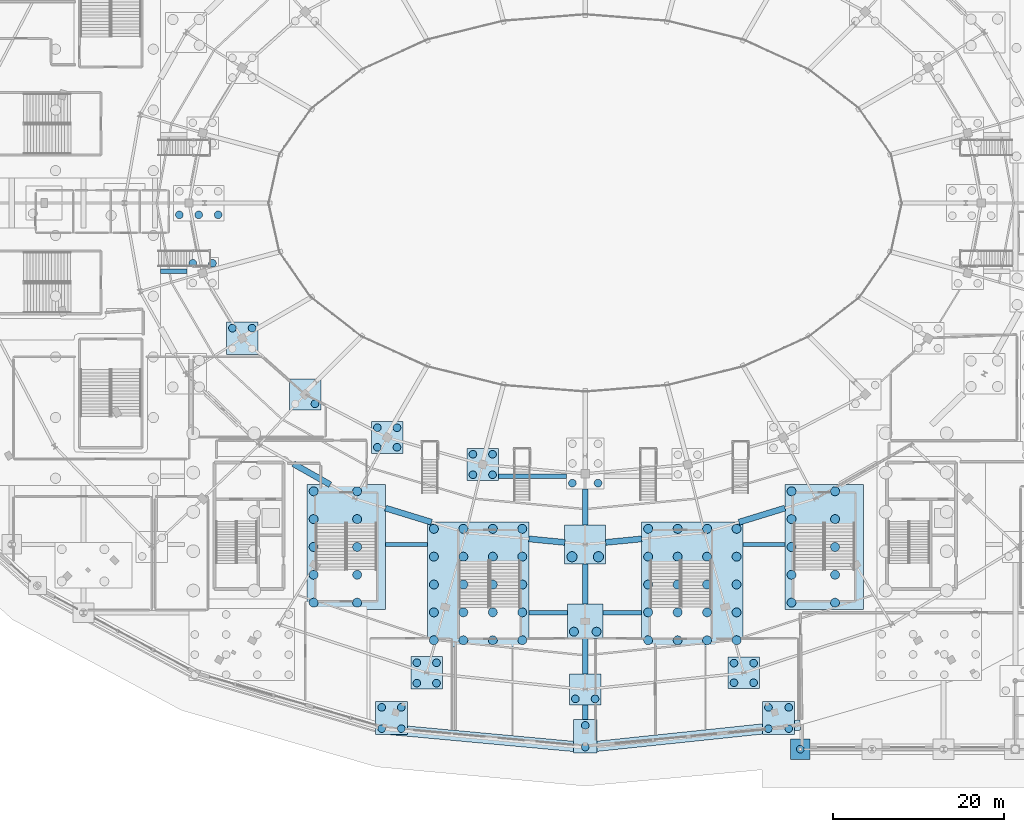
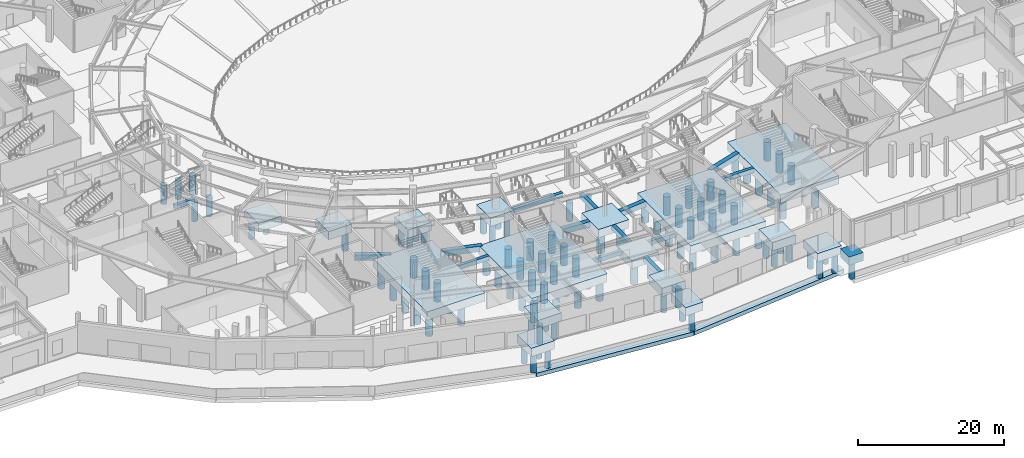
# One storey, part 2 of 93: 103 piles, 34 footings.
"""IFC4 building model written with IfcOpenShell, lengths in metres."""

from ifc_helpers import new_model, si_unit, direction, frame, origin, origin_2d, place, context, subcontext, project, spatial, polyline, rectangle, circle, outline, extrude, material, material_profile, profile_set, type_object, element, save


model = new_model("IFC4")

# Units and contexts
model_context = context("Model", 3, precision=1e-05, world=origin(), true_north=direction((0.0, 1.0)))
body_context = subcontext(model_context, "Body", "Model", "MODEL_VIEW")
ifc_project = project(units=[si_unit("LENGTHUNIT", "METRE"), si_unit("AREAUNIT", "SQUARE_METRE"), si_unit("VOLUMEUNIT", "CUBIC_METRE"), si_unit("PLANEANGLEUNIT", "RADIAN"), si_unit("MASSUNIT", "GRAM", prefix="KILO")], contexts=[model_context])

# Site, building, storey
site_placement = place(None, origin())
site = spatial("IfcSite", under=ifc_project, at=site_placement, CompositionType="ELEMENT")
building_placement = place(site_placement, origin())
building = spatial("IfcBuilding", under=site, at=building_placement, Name="Kalgoora Escarpment Arena", CompositionType="ELEMENT")
storey_placement = place(building_placement, origin())
storey = spatial("IfcBuildingStorey", under=building, at=storey_placement, Name="L00", CompositionType="ELEMENT", Elevation=0.0)

# Footings
ifc_material_1 = material(Name="Concrete N40 (fc' 40 MPa)", Category="concrete")
ifc_material_profile_1 = material_profile(ifc_material_1, rectangle(XDim=0.5, YDim=0.699951171875, at=origin_2d()))
ifc_profile_set_1 = profile_set([ifc_material_profile_1], Name="Concrete N40 (fc' 40 MPa)")
footing_type_1 = type_object("IfcFootingType", Name="FTG-GB700x500", PredefinedType="FOOTING_BEAM", material=ifc_profile_set_1)
for number, where, z_axis, x_axis, name in (
    (1, (85.800048828125, 16.0, -0.35009765625), (1.0, 0.0, 0.0), (0.0, 1.0, 0.0), "Ground tie beam GB-073"),
    (2, (94.5, 16.0, -0.35009765625), (1.0, 0.0, 0.0), (0.0, 1.0, 0.0), "Ground tie beam GB-074"),
):
    element("IfcFooting", number, at=place(storey_placement, frame(where, z_axis=z_axis, x_axis=x_axis)), inside=storey, type_object=footing_type_1, Name=name, PredefinedType="FOOTING_BEAM", context=body_context, shape_type="SweptSolid", body=[
        extrude(rectangle(XDim=0.5, YDim=0.699951171875, at=origin_2d()), origin(), (0.0, 0.0, 1.0), 4.5),
    ])
footing_1_placement = place(storey_placement, frame((69.0, 24.0, -0.35009765625), z_axis=(1.0, 0.0, 0.0), x_axis=(0.0, 1.0, 0.0)))
element("IfcFooting", 3, at=footing_1_placement, inside=storey, type_object=footing_type_1, Name="Ground tie beam GB-080", PredefinedType="FOOTING_BEAM", context=body_context, shape_type="SweptSolid", body=[
    extrude(rectangle(XDim=0.5, YDim=0.699951171875, at=origin_2d()), origin(), (0.0, 0.0, 1.0), 4.889892578125),
])
footing_2_placement = place(storey_placement, frame((110.909912109375, 24.0, -0.35009765625), z_axis=(1.0, 0.0, 0.0), x_axis=(0.0, 1.0, 0.0)))
element("IfcFooting", 4, at=footing_2_placement, inside=storey, type_object=footing_type_1, Name="Ground tie beam GB-081", PredefinedType="FOOTING_BEAM", context=body_context, shape_type="SweptSolid", body=[
    extrude(rectangle(XDim=0.5, YDim=0.699951171875, at=origin_2d()), origin(), (0.0, 0.0, 1.0), 4.89013671875),
])
footing_3_placement = place(storey_placement, frame((82.239990234375, 32.0, -0.35009765625), z_axis=(1.0, 0.0, 0.0), x_axis=(0.0, 1.0, 0.0)))
element("IfcFooting", 5, at=footing_3_placement, inside=storey, type_object=footing_type_1, Name="Ground tie beam GB-086", PredefinedType="FOOTING_BEAM", context=body_context, shape_type="SweptSolid", body=[
    extrude(rectangle(XDim=0.5, YDim=0.699951171875, at=origin_2d()), origin(), (0.0, 0.0, 1.0), 7.9599609375),
])
footing_4_placement = place(storey_placement, frame((42.639892578125, 56.0, -0.35009765625), z_axis=(1.0, 0.0, 0.0), x_axis=(0.0, 1.0, 0.0)))
element("IfcFooting", 6, at=footing_4_placement, inside=storey, type_object=footing_type_1, Name="Ground tie beam GB-100", PredefinedType="FOOTING_BEAM", context=body_context, shape_type="SweptSolid", body=[
    extrude(rectangle(XDim=0.5, YDim=0.699951171875, at=origin_2d()), origin(), (0.0, 0.0, 1.0), 3.080078125),
])
ifc_material_2 = material(Name="Concrete N40 (fc' 40 MPa)", Category="concrete")
ifc_material_profile_2 = material_profile(ifc_material_2, rectangle(XDim=0.60009765625, YDim=0.800048828125, at=origin_2d()))
ifc_profile_set_2 = profile_set([ifc_material_profile_2], Name="Concrete N40 (fc' 40 MPa)")
footing_type_2 = type_object("IfcFootingType", Name="FTG-GB800x600", PredefinedType="FOOTING_BEAM", material=ifc_profile_set_2)
footing_5_placement = place(storey_placement, frame((92.39990234375, 3.489990234375, -0.39990234375), z_axis=(0.0, 1.0, 0.0), x_axis=(-1.0, 0.0, 0.0)))
element("IfcFooting", 7, at=footing_5_placement, inside=storey, type_object=footing_type_2, Name="Ground tie beam GB-036", PredefinedType="FOOTING_BEAM", context=body_context, shape_type="SweptSolid", body=[
    extrude(rectangle(XDim=0.60009765625, YDim=0.800048828125, at=origin_2d()), origin(), (0.0, 0.0, 1.0), 1.7099609375),
])
footing_6_placement = place(storey_placement, frame((92.39990234375, 8.800048828125, -0.39990234375), z_axis=(0.0, 1.0, 0.0), x_axis=(-1.0, 0.0, 0.0)))
element("IfcFooting", 8, at=footing_6_placement, inside=storey, type_object=footing_type_2, Name="Ground tie beam GB-037", PredefinedType="FOOTING_BEAM", context=body_context, shape_type="SweptSolid", body=[
    extrude(rectangle(XDim=0.60009765625, YDim=0.800048828125, at=origin_2d()), origin(), (0.0, 0.0, 1.0), 4.199951171875),
])
footing_7_placement = place(storey_placement, frame((92.39990234375, 17.0, -0.39990234375), z_axis=(0.0, 1.0, 0.0), x_axis=(-1.0, 0.0, 0.0)))
element("IfcFooting", 9, at=footing_7_placement, inside=storey, type_object=footing_type_2, Name="Ground tie beam GB-038", PredefinedType="FOOTING_BEAM", context=body_context, shape_type="SweptSolid", body=[
    extrude(rectangle(XDim=0.60009765625, YDim=0.800048828125, at=origin_2d()), origin(), (0.0, 0.0, 1.0), 4.699951171875),
])
footing_8_placement = place(storey_placement, frame((92.39990234375, 26.300048828125, -0.39990234375), z_axis=(0.0, 1.0, 0.0), x_axis=(-1.0, 0.0, 0.0)))
element("IfcFooting", 10, at=footing_8_placement, inside=storey, type_object=footing_type_2, Name="Ground tie beam GB-039", PredefinedType="FOOTING_BEAM", context=body_context, shape_type="SweptSolid", body=[
    extrude(rectangle(XDim=0.60009765625, YDim=0.800048828125, at=origin_2d()), origin(), (0.0, 0.0, 1.0), 4.179931640625),
])
ifc_material_3 = material(Name="Concrete N40 (fc' 40 MPa)", Category="concrete")
ifc_material_profile_3 = material_profile(ifc_material_3, rectangle(XDim=0.699951171875, YDim=0.89990234375, at=origin_2d()))
ifc_profile_set_3 = profile_set([ifc_material_profile_3], Name="Concrete N40 (fc' 40 MPa)")
footing_type_3 = type_object("IfcFootingType", Name="FTG-GB900x700", PredefinedType="FOOTING_BEAM", material=ifc_profile_set_3)
footing_9_placement = place(storey_placement, frame((58.199951171875, 33.451416015625, -0.449951171875), z_axis=(0.86938256602, -0.494139609726, 0.0), x_axis=(0.494139609726, 0.86938256602, 0.0)))
element("IfcFooting", 11, at=footing_9_placement, inside=storey, type_object=footing_type_3, Name="Ground tie beam GB-014", PredefinedType="FOOTING_BEAM", context=body_context, shape_type="SweptSolid", body=[
    extrude(rectangle(XDim=0.699951171875, YDim=0.89990234375, at=origin_2d()), origin(), (0.0, 0.0, 1.0), 4.9609375),
])
footing_10_placement = place(storey_placement, frame((69.0, 28.25439453125, -0.449951171875), z_axis=(0.956018286306, -0.293307068188, 0.0), x_axis=(0.293307068188, 0.956018286306, 0.0)))
element("IfcFooting", 12, at=footing_10_placement, inside=storey, type_object=footing_type_3, Name="Ground tie beam GB-015", PredefinedType="FOOTING_BEAM", context=body_context, shape_type="SweptSolid", body=[
    extrude(rectangle(XDim=0.699951171875, YDim=0.89990234375, at=origin_2d()), origin(), (0.0, 0.0, 1.0), 5.64013671875),
])
for number, where, z_axis, x_axis, name in (
    (13, (85.800048828125, 24.643798828125, -0.449951171875), (0.995276542908, -0.097080395222, 0.0), (0.097080395222, 0.995276542908, 0.0), "Ground tie beam GB-016"),
    (14, (94.800048828125, 24.234130859375, -0.449951171875), (0.995276542908, 0.097080395222, 0.0), (-0.097080395222, 0.995276542908, 0.0), "Ground tie beam GB-017"),
):
    element("IfcFooting", number, at=place(storey_placement, frame(where, z_axis=z_axis, x_axis=x_axis)), inside=storey, type_object=footing_type_3, Name=name, PredefinedType="FOOTING_BEAM", context=body_context, shape_type="SweptSolid", body=[
        extrude(rectangle(XDim=0.699951171875, YDim=0.89990234375, at=origin_2d()), origin(), (0.0, 0.0, 1.0), 4.219970703125),
    ])
footing_11_placement = place(storey_placement, frame((110.40771484375, 26.60009765625, -0.449951171875), z_axis=(0.956022009942, 0.293294930926, 0.0), x_axis=(-0.293294930926, 0.956022009942, 0.0)))
element("IfcFooting", 15, at=footing_11_placement, inside=storey, type_object=footing_type_3, Name="Ground tie beam GB-018", PredefinedType="FOOTING_BEAM", context=body_context, shape_type="SweptSolid", body=[
    extrude(rectangle(XDim=0.699951171875, YDim=0.89990234375, at=origin_2d()), origin(), (0.0, 0.0, 1.0), 5.640380859375),
])
ifc_material_4 = material(Name="Concrete N40 (fc' 40 MPa)", Category="concrete")
footing_type_4 = type_object("IfcFootingType", Name="FTG-PC-1191x1460", PredefinedType="PILE_CAP", material=ifc_material_4)
for number, where, z_axis, x_axis, name in (
    (16, (79.844970703125, 19.300048828125, -1.39990234375), (0.0, 0.0, 1.0), (1.0, 0.0, 0.0), "Pile cap FND-ST-ST14"),
    (17, (104.955078125, 19.300048828125, -1.39990234375), (0.0, 0.0, 1.0), (1.0, 0.0, 0.0), "Pile cap FND-ST-ST15"),
):
    element("IfcFooting", number, at=place(storey_placement, frame(where, z_axis=z_axis, x_axis=x_axis)), inside=storey, type_object=footing_type_4, Name=name, PredefinedType="PILE_CAP", context=body_context, shape_type="SweptSolid", body=[
        extrude(rectangle(XDim=11.909912109375, YDim=14.60009765625, at=origin_2d()), origin(), (0.0, 0.0, 1.0), 1.39990234375),
    ])
ifc_material_5 = material(Name="Concrete N40 (fc' 40 MPa)", Category="concrete")
footing_type_5 = type_object("IfcFootingType", Name="FTG-PC-230x236", PredefinedType="PILE_CAP", material=ifc_material_5)
footing_12_placement = place(storey_placement, frame((117.60009765625, 0.0, -1.39990234375), z_axis=(0.0, 0.0, 1.0), x_axis=(1.0, 0.0, 0.0)))
element("IfcFooting", 18, at=footing_12_placement, inside=storey, type_object=footing_type_5, Name="Pile cap FND-COL-G15-A", PredefinedType="PILE_CAP", context=body_context, shape_type="SweptSolid", body=[
    extrude(rectangle(XDim=2.300048828125, YDim=2.360107421875, at=origin_2d()), origin(), (0.0, 0.0, 1.0), 1.39990234375),
])
ifc_material_6 = material(Name="Concrete N40 (fc' 40 MPa)", Category="concrete")
footing_type_6 = type_object("IfcFootingType", Name="FTG-PC-280x394", PredefinedType="PILE_CAP", material=ifc_material_6)
footing_13_placement = place(storey_placement, frame((92.39990234375, 1.52001953125, -1.39990234375), z_axis=(0.0, 0.0, 1.0), x_axis=(1.0, 0.0, 0.0)))
element("IfcFooting", 19, at=footing_13_placement, inside=storey, type_object=footing_type_6, Name="Pile cap FND-COL-RBASE2-R19", PredefinedType="PILE_CAP", context=body_context, shape_type="SweptSolid", body=[
    extrude(rectangle(XDim=2.800048828125, YDim=3.93994140625, at=origin_2d()), origin(), (0.0, 0.0, 1.0), 1.39990234375),
])
ifc_material_7 = material(Name="Concrete N40 (fc' 40 MPa)", Category="concrete")
footing_type_7 = type_object("IfcFootingType", Name="FTG-PC-370x360", PredefinedType="PILE_CAP", material=ifc_material_7)
for number, where, z_axis, x_axis, name in (
    (20, (59.580078125, 41.570068359375, -1.39990234375), (0.0, 0.0, 1.0), (1.0, 0.0, 0.0), "Pile cap FND-COL-RMID-R16"),
    (21, (92.39990234375, 7.0, -1.39990234375), (0.0, 0.0, 1.0), (1.0, 0.0, 0.0), "Pile cap FND-COL-RCONC2-R19"),
):
    element("IfcFooting", number, at=place(storey_placement, frame(where, z_axis=z_axis, x_axis=x_axis)), inside=storey, type_object=footing_type_7, Name=name, PredefinedType="PILE_CAP", context=body_context, shape_type="SweptSolid", body=[
        extrude(rectangle(XDim=3.699951171875, YDim=3.60009765625, at=origin_2d()), origin(), (0.0, 0.0, 1.0), 1.39990234375),
    ])
ifc_material_8 = material(Name="Concrete N40 (fc' 40 MPa)", Category="concrete")
footing_type_8 = type_object("IfcFootingType", Name="FTG-PC-370x370", PredefinedType="PILE_CAP", material=ifc_material_8)
for number, where, z_axis, x_axis, name in (
    (22, (69.18994140625, 36.530029296875, -1.39990234375), (0.0, 0.0, 1.0), (1.0, 0.0, 0.0), "Pile cap FND-COL-RMID-R17"),
    (23, (110.97998046875, 8.93994140625, -1.39990234375), (0.0, 0.0, 1.0), (1.0, 0.0, 0.0), "Pile cap FND-COL-RCONC2-R20"),
):
    element("IfcFooting", number, at=place(storey_placement, frame(where, z_axis=z_axis, x_axis=x_axis)), inside=storey, type_object=footing_type_8, Name=name, PredefinedType="PILE_CAP", context=body_context, shape_type="SweptSolid", body=[
        extrude(rectangle(XDim=3.699951171875, YDim=3.699951171875, at=origin_2d()), origin(), (0.0, 0.0, 1.0), 1.39990234375),
    ])
ifc_material_9 = material(Name="Concrete N40 (fc' 40 MPa)", Category="concrete")
footing_type_9 = type_object("IfcFootingType", Name="FTG-PC-370x380", PredefinedType="PILE_CAP", material=ifc_material_9)
for number, where, z_axis, x_axis, name in (
    (24, (52.2099609375, 48.139892578125, -1.39990234375), (0.0, 0.0, 1.0), (1.0, 0.0, 0.0), "Pile cap FND-COL-RMID-R15"),
    (25, (80.389892578125, 33.360107421875, -1.39990234375), (0.0, 0.0, 1.0), (1.0, 0.0, 0.0), "Pile cap FND-COL-RMID-R18"),
    (26, (73.820068359375, 8.93994140625, -1.39990234375), (0.0, 0.0, 1.0), (1.0, 0.0, 0.0), "Pile cap FND-COL-RCONC2-R18"),
):
    element("IfcFooting", number, at=place(storey_placement, frame(where, z_axis=z_axis, x_axis=x_axis)), inside=storey, type_object=footing_type_9, Name=name, PredefinedType="PILE_CAP", context=body_context, shape_type="SweptSolid", body=[
        extrude(rectangle(XDim=3.699951171875, YDim=3.800048828125, at=origin_2d()), origin(), (0.0, 0.0, 1.0), 1.39990234375),
    ])
ifc_material_10 = material(Name="Concrete N40 (fc' 40 MPa)", Category="concrete")
footing_type_10 = type_object("IfcFootingType", Name="FTG-PC-370x389", PredefinedType="PILE_CAP", material=ifc_material_10)
footing_14_placement = place(storey_placement, frame((69.699951171875, 3.655029296875, -1.39990234375), z_axis=(0.0, 0.0, 1.0), x_axis=(1.0, 0.0, 0.0)))
element("IfcFooting", 27, at=footing_14_placement, inside=storey, type_object=footing_type_10, Name="Pile cap FND-COL-RBASE2-R18", PredefinedType="PILE_CAP", context=body_context, shape_type="SweptSolid", body=[
    extrude(rectangle(XDim=3.699951171875, YDim=3.889892578125, at=origin_2d()), origin(), (0.0, 0.0, 1.0), 1.39990234375),
])
ifc_material_11 = material(Name="Concrete N40 (fc' 40 MPa)", Category="concrete")
footing_type_11 = type_object("IfcFootingType", Name="FTG-PC-378x389", PredefinedType="PILE_CAP", material=ifc_material_11)
footing_15_placement = place(storey_placement, frame((115.06005859375, 3.655029296875, -1.39990234375), z_axis=(0.0, 0.0, 1.0), x_axis=(1.0, 0.0, 0.0)))
element("IfcFooting", 28, at=footing_15_placement, inside=storey, type_object=footing_type_11, Name="Pile cap FND-COL-RBASE2-R20", PredefinedType="PILE_CAP", context=body_context, shape_type="SweptSolid", body=[
    extrude(rectangle(XDim=3.780029296875, YDim=3.889892578125, at=origin_2d()), origin(), (0.0, 0.0, 1.0), 1.39990234375),
])
ifc_material_12 = material(Name="Concrete N40 (fc' 40 MPa)", Category="concrete")
footing_type_12 = type_object("IfcFootingType", Name="FTG-PC-420x400", PredefinedType="PILE_CAP", material=ifc_material_12)
footing_16_placement = place(storey_placement, frame((92.39990234375, 15.0, -1.39990234375), z_axis=(0.0, 0.0, 1.0), x_axis=(1.0, 0.0, 0.0)))
element("IfcFooting", 29, at=footing_16_placement, inside=storey, type_object=footing_type_12, Name="Pile cap FND-COL-RCONC1-R19", PredefinedType="PILE_CAP", context=body_context, shape_type="SweptSolid", body=[
    extrude(rectangle(XDim=4.199951171875, YDim=4.0, at=origin_2d()), origin(), (0.0, 0.0, 1.0), 1.39990234375),
])
ifc_material_13 = material(Name="Concrete N40 (fc' 40 MPa)", Category="concrete")
footing_type_13 = type_object("IfcFootingType", Name="FTG-PC-480x460", PredefinedType="PILE_CAP", material=ifc_material_13)
footing_17_placement = place(storey_placement, frame((92.39990234375, 24.0, -1.39990234375), z_axis=(0.0, 0.0, 1.0), x_axis=(1.0, 0.0, 0.0)))
element("IfcFooting", 30, at=footing_17_placement, inside=storey, type_object=footing_type_13, Name="Pile cap FND-COL-RMAIN-R19", PredefinedType="PILE_CAP", context=body_context, shape_type="SweptSolid", body=[
    extrude(rectangle(XDim=4.800048828125, YDim=4.60009765625, at=origin_2d()), origin(), (0.0, 0.0, 1.0), 1.39990234375),
])
ifc_material_14 = material(Name="Concrete N40 (fc' 40 MPa)", Category="concrete")
footing_type_14 = type_object("IfcFootingType", Name="FTG-PC-920x1460", PredefinedType="PILE_CAP", material=ifc_material_14)
for number, where, z_axis, x_axis, name in (
    (31, (64.39990234375, 23.699951171875, -1.39990234375), (0.0, 0.0, 1.0), (1.0, 0.0, 0.0), "Pile cap FND-ST-ST13"),
    (32, (120.39990234375, 23.699951171875, -1.39990234375), (0.0, 0.0, 1.0), (1.0, 0.0, 0.0), "Pile cap FND-ST-ST16"),
):
    element("IfcFooting", number, at=place(storey_placement, frame(where, z_axis=z_axis, x_axis=x_axis)), inside=storey, type_object=footing_type_14, Name=name, PredefinedType="PILE_CAP", context=body_context, shape_type="SweptSolid", body=[
        extrude(rectangle(XDim=9.199951171875, YDim=14.60009765625, at=origin_2d()), origin(), (0.0, 0.0, 1.0), 1.39990234375),
    ])
ifc_material_15 = material(Name="Concrete N40 (fc' 40 MPa)", Category="concrete")
footing_type_15 = type_object("IfcFootingType", Name="FTG-STRIP-1200", PredefinedType="STRIP_FOOTING", material=ifc_material_15)
footing_18_placement = place(storey_placement, frame((0.0, 0.0, -5.14990234375)))
element("IfcFooting", 33, at=footing_18_placement, inside=storey, type_object=footing_type_15, Name="Escarpment retaining strip footing SF-03", PredefinedType="STRIP_FOOTING", context=body_context, shape_type="SweptSolid", body=[
    extrude(outline(polyline([(117.53759765625, 3.43310546875), (92.337646484375, 0.796630859375), (92.46240234375, -0.396728515625), (117.662353515625, 2.239501953125), (117.53759765625, 3.43310546875)])), origin(), (0.0, 0.0, 1.0), 0.64990234375),
])
footing_19_placement = place(storey_placement, frame((0.0, 0.0, -5.14990234375)))
element("IfcFooting", 34, at=footing_19_placement, inside=storey, type_object=footing_type_15, Name="Escarpment retaining strip footing SF-04", PredefinedType="STRIP_FOOTING", context=body_context, shape_type="SweptSolid", body=[
    extrude(outline(polyline([(92.455078125, 0.797607421875), (68.8505859375, 2.971435546875), (68.74072265625, 1.7763671875), (92.344970703125, -0.3974609375), (92.455078125, 0.797607421875)])), origin(), (0.0, 0.0, 1.0), 0.64990234375),
])

# Piles
ifc_material_16 = material(Name="Concrete N50 (fc' 50 MPa)", Category="concrete")
ifc_material_profile_4 = material_profile(ifc_material_16, circle(Radius=0.52490234375, at=origin_2d()))
ifc_profile_set_4 = profile_set([ifc_material_profile_4], Name="Concrete N50 (fc' 50 MPa)")
pile_type_1 = type_object("IfcPileType", Name="PIL-PILE-1050", PredefinedType="BORED", material=ifc_profile_set_4)
for number, where, z_axis, x_axis, name in (
    (35, (60.574951171875, 17.175048828125, -1.300048828125), (0.0, 0.0, -1.0), (1.0, 0.0, 0.0), "Bored pile FND-ST-ST13 P01"),
    (36, (60.574951171875, 20.4375, -1.300048828125), (0.0, 0.0, -1.0), (1.0, 0.0, 0.0), "Bored pile FND-ST-ST13 P02"),
    (37, (60.574951171875, 23.699951171875, -1.300048828125), (0.0, 0.0, -1.0), (1.0, 0.0, 0.0), "Bored pile FND-ST-ST13 P03"),
    (38, (60.574951171875, 26.96240234375, -1.300048828125), (0.0, 0.0, -1.0), (1.0, 0.0, 0.0), "Bored pile FND-ST-ST13 P04"),
    (39, (60.574951171875, 30.22509765625, -1.300048828125), (0.0, 0.0, -1.0), (1.0, 0.0, 0.0), "Bored pile FND-ST-ST13 P05"),
    (40, (65.675048828125, 17.175048828125, -1.300048828125), (0.0, 0.0, -1.0), (1.0, 0.0, 0.0), "Bored pile FND-ST-ST13 P06"),
    (41, (65.675048828125, 20.4375, -1.300048828125), (0.0, 0.0, -1.0), (1.0, 0.0, 0.0), "Bored pile FND-ST-ST13 P07"),
    (42, (65.675048828125, 23.699951171875, -1.300048828125), (0.0, 0.0, -1.0), (1.0, 0.0, 0.0), "Bored pile FND-ST-ST13 P08"),
    (43, (65.675048828125, 26.96240234375, -1.300048828125), (0.0, 0.0, -1.0), (1.0, 0.0, 0.0), "Bored pile FND-ST-ST13 P09"),
    (44, (65.675048828125, 30.22509765625, -1.300048828125), (0.0, 0.0, -1.0), (1.0, 0.0, 0.0), "Bored pile FND-ST-ST13 P10"),
    (45, (74.6650390625, 12.77490234375, -1.300048828125), (0.0, 0.0, -1.0), (1.0, 0.0, 0.0), "Bored pile FND-ST-ST14 P01"),
    (46, (74.6650390625, 16.03759765625, -1.300048828125), (0.0, 0.0, -1.0), (1.0, 0.0, 0.0), "Bored pile FND-ST-ST14 P02"),
    (47, (74.6650390625, 19.300048828125, -1.300048828125), (0.0, 0.0, -1.0), (1.0, 0.0, 0.0), "Bored pile FND-ST-ST14 P03"),
    (48, (74.6650390625, 22.5625, -1.300048828125), (0.0, 0.0, -1.0), (1.0, 0.0, 0.0), "Bored pile FND-ST-ST14 P04"),
    (49, (74.6650390625, 25.824951171875, -1.300048828125), (0.0, 0.0, -1.0), (1.0, 0.0, 0.0), "Bored pile FND-ST-ST14 P05"),
    (50, (78.118408203125, 12.77490234375, -1.300048828125), (0.0, 0.0, -1.0), (1.0, 0.0, 0.0), "Bored pile FND-ST-ST14 P06"),
    (51, (78.118408203125, 16.03759765625, -1.300048828125), (0.0, 0.0, -1.0), (1.0, 0.0, 0.0), "Bored pile FND-ST-ST14 P07"),
    (52, (78.118408203125, 19.300048828125, -1.300048828125), (0.0, 0.0, -1.0), (1.0, 0.0, 0.0), "Bored pile FND-ST-ST14 P08"),
    (53, (78.118408203125, 22.5625, -1.300048828125), (0.0, 0.0, -1.0), (1.0, 0.0, 0.0), "Bored pile FND-ST-ST14 P09"),
    (54, (78.118408203125, 25.824951171875, -1.300048828125), (0.0, 0.0, -1.0), (1.0, 0.0, 0.0), "Bored pile FND-ST-ST14 P10"),
    (55, (81.57177734375, 12.77490234375, -1.300048828125), (0.0, 0.0, -1.0), (1.0, 0.0, 0.0), "Bored pile FND-ST-ST14 P11"),
    (56, (81.57177734375, 16.03759765625, -1.300048828125), (0.0, 0.0, -1.0), (1.0, 0.0, 0.0), "Bored pile FND-ST-ST14 P12"),
    (57, (81.57177734375, 19.300048828125, -1.300048828125), (0.0, 0.0, -1.0), (1.0, 0.0, 0.0), "Bored pile FND-ST-ST14 P13"),
    (58, (81.57177734375, 22.5625, -1.300048828125), (0.0, 0.0, -1.0), (1.0, 0.0, 0.0), "Bored pile FND-ST-ST14 P14"),
    (59, (81.57177734375, 25.824951171875, -1.300048828125), (0.0, 0.0, -1.0), (1.0, 0.0, 0.0), "Bored pile FND-ST-ST14 P15"),
    (60, (85.02490234375, 12.77490234375, -1.300048828125), (0.0, 0.0, -1.0), (1.0, 0.0, 0.0), "Bored pile FND-ST-ST14 P16"),
    (61, (85.02490234375, 16.03759765625, -1.300048828125), (0.0, 0.0, -1.0), (1.0, 0.0, 0.0), "Bored pile FND-ST-ST14 P17"),
    (62, (85.02490234375, 19.300048828125, -1.300048828125), (0.0, 0.0, -1.0), (1.0, 0.0, 0.0), "Bored pile FND-ST-ST14 P18"),
    (63, (85.02490234375, 22.5625, -1.300048828125), (0.0, 0.0, -1.0), (1.0, 0.0, 0.0), "Bored pile FND-ST-ST14 P19"),
    (64, (85.02490234375, 25.824951171875, -1.300048828125), (0.0, 0.0, -1.0), (1.0, 0.0, 0.0), "Bored pile FND-ST-ST14 P20"),
    (65, (99.77490234375, 12.77490234375, -1.300048828125), (0.0, 0.0, -1.0), (1.0, 0.0, 0.0), "Bored pile FND-ST-ST15 P01"),
    (66, (99.77490234375, 16.03759765625, -1.300048828125), (0.0, 0.0, -1.0), (1.0, 0.0, 0.0), "Bored pile FND-ST-ST15 P02"),
    (67, (99.77490234375, 19.300048828125, -1.300048828125), (0.0, 0.0, -1.0), (1.0, 0.0, 0.0), "Bored pile FND-ST-ST15 P03"),
    (68, (99.77490234375, 22.5625, -1.300048828125), (0.0, 0.0, -1.0), (1.0, 0.0, 0.0), "Bored pile FND-ST-ST15 P04"),
    (69, (99.77490234375, 25.824951171875, -1.300048828125), (0.0, 0.0, -1.0), (1.0, 0.0, 0.0), "Bored pile FND-ST-ST15 P05"),
    (70, (103.228271484375, 12.77490234375, -1.300048828125), (0.0, 0.0, -1.0), (1.0, 0.0, 0.0), "Bored pile FND-ST-ST15 P06"),
    (71, (103.228271484375, 16.03759765625, -1.300048828125), (0.0, 0.0, -1.0), (1.0, 0.0, 0.0), "Bored pile FND-ST-ST15 P07"),
    (72, (103.228271484375, 19.300048828125, -1.300048828125), (0.0, 0.0, -1.0), (1.0, 0.0, 0.0), "Bored pile FND-ST-ST15 P08"),
    (73, (103.228271484375, 22.5625, -1.300048828125), (0.0, 0.0, -1.0), (1.0, 0.0, 0.0), "Bored pile FND-ST-ST15 P09"),
    (74, (103.228271484375, 25.824951171875, -1.300048828125), (0.0, 0.0, -1.0), (1.0, 0.0, 0.0), "Bored pile FND-ST-ST15 P10"),
    (75, (106.681640625, 12.77490234375, -1.300048828125), (0.0, 0.0, -1.0), (1.0, 0.0, 0.0), "Bored pile FND-ST-ST15 P11"),
    (76, (106.681640625, 16.03759765625, -1.300048828125), (0.0, 0.0, -1.0), (1.0, 0.0, 0.0), "Bored pile FND-ST-ST15 P12"),
    (77, (106.681640625, 19.300048828125, -1.300048828125), (0.0, 0.0, -1.0), (1.0, 0.0, 0.0), "Bored pile FND-ST-ST15 P13"),
    (78, (106.681640625, 22.5625, -1.300048828125), (0.0, 0.0, -1.0), (1.0, 0.0, 0.0), "Bored pile FND-ST-ST15 P14"),
    (79, (106.681640625, 25.824951171875, -1.300048828125), (0.0, 0.0, -1.0), (1.0, 0.0, 0.0), "Bored pile FND-ST-ST15 P15"),
    (80, (110.135009765625, 12.77490234375, -1.300048828125), (0.0, 0.0, -1.0), (1.0, 0.0, 0.0), "Bored pile FND-ST-ST15 P16"),
    (81, (110.135009765625, 16.03759765625, -1.300048828125), (0.0, 0.0, -1.0), (1.0, 0.0, 0.0), "Bored pile FND-ST-ST15 P17"),
    (82, (110.135009765625, 19.300048828125, -1.300048828125), (0.0, 0.0, -1.0), (1.0, 0.0, 0.0), "Bored pile FND-ST-ST15 P18"),
    (83, (110.135009765625, 22.5625, -1.300048828125), (0.0, 0.0, -1.0), (1.0, 0.0, 0.0), "Bored pile FND-ST-ST15 P19"),
    (84, (110.135009765625, 25.824951171875, -1.300048828125), (0.0, 0.0, -1.0), (1.0, 0.0, 0.0), "Bored pile FND-ST-ST15 P20"),
    (85, (116.574951171875, 17.175048828125, -1.300048828125), (0.0, 0.0, -1.0), (1.0, 0.0, 0.0), "Bored pile FND-ST-ST16 P01"),
    (86, (116.574951171875, 20.4375, -1.300048828125), (0.0, 0.0, -1.0), (1.0, 0.0, 0.0), "Bored pile FND-ST-ST16 P02"),
    (87, (116.574951171875, 23.699951171875, -1.300048828125), (0.0, 0.0, -1.0), (1.0, 0.0, 0.0), "Bored pile FND-ST-ST16 P03"),
    (88, (116.574951171875, 26.96240234375, -1.300048828125), (0.0, 0.0, -1.0), (1.0, 0.0, 0.0), "Bored pile FND-ST-ST16 P04"),
    (89, (116.574951171875, 30.22509765625, -1.300048828125), (0.0, 0.0, -1.0), (1.0, 0.0, 0.0), "Bored pile FND-ST-ST16 P05"),
    (90, (121.675048828125, 17.175048828125, -1.300048828125), (0.0, 0.0, -1.0), (1.0, 0.0, 0.0), "Bored pile FND-ST-ST16 P06"),
    (91, (121.675048828125, 20.4375, -1.300048828125), (0.0, 0.0, -1.0), (1.0, 0.0, 0.0), "Bored pile FND-ST-ST16 P07"),
    (92, (121.675048828125, 23.699951171875, -1.300048828125), (0.0, 0.0, -1.0), (1.0, 0.0, 0.0), "Bored pile FND-ST-ST16 P08"),
    (93, (121.675048828125, 26.96240234375, -1.300048828125), (0.0, 0.0, -1.0), (1.0, 0.0, 0.0), "Bored pile FND-ST-ST16 P09"),
    (94, (121.675048828125, 30.22509765625, -1.300048828125), (0.0, 0.0, -1.0), (1.0, 0.0, 0.0), "Bored pile FND-ST-ST16 P10"),
    (95, (91.074951171875, 13.77490234375, -1.300048828125), (0.0, 0.0, -1.0), (1.0, 0.0, 0.0), "Bored pile FND-COL-RCONC1-R19 P01"),
    (96, (93.72509765625, 13.77490234375, -1.300048828125), (0.0, 0.0, -1.0), (1.0, 0.0, 0.0), "Bored pile FND-COL-RCONC1-R19 P02"),
):
    element("IfcPile", number, at=place(storey_placement, frame(where, z_axis=z_axis, x_axis=x_axis)), inside=storey, type_object=pile_type_1, Name=name, PredefinedType="BORED", context=body_context, shape_type="SweptSolid", body=[
        extrude(circle(Radius=0.52490234375, at=origin_2d()), origin(), (0.0, 0.0, 1.0), 3.199951171875),
    ])
ifc_material_17 = material(Name="Concrete N50 (fc' 50 MPa)", Category="concrete")
ifc_material_profile_5 = material_profile(ifc_material_17, circle(Radius=0.60009765625, at=origin_2d()))
ifc_profile_set_5 = profile_set([ifc_material_profile_5], Name="Concrete N50 (fc' 50 MPa)")
pile_type_2 = type_object("IfcPileType", Name="PIL-PILE-1200", PredefinedType="BORED", material=ifc_profile_set_5)
for number, where, z_axis, x_axis, name in (
    (97, (90.85009765625, 22.550048828125, -1.300048828125), (0.0, 0.0, -1.0), (1.0, 0.0, 0.0), "Bored pile FND-COL-RMAIN-R19 P01"),
    (98, (93.949951171875, 22.550048828125, -1.300048828125), (0.0, 0.0, -1.0), (1.0, 0.0, 0.0), "Bored pile FND-COL-RMAIN-R19 P02"),
):
    element("IfcPile", number, at=place(storey_placement, frame(where, z_axis=z_axis, x_axis=x_axis)), inside=storey, type_object=pile_type_2, Name=name, PredefinedType="BORED", context=body_context, shape_type="SweptSolid", body=[
        extrude(circle(Radius=0.60009765625, at=origin_2d()), origin(), (0.0, 0.0, 1.0), 3.199951171875),
    ])
ifc_material_18 = material(Name="Concrete N50 (fc' 50 MPa)", Category="concrete")
ifc_material_profile_6 = material_profile(ifc_material_18, circle(Radius=0.449951171875, at=origin_2d()))
ifc_profile_set_6 = profile_set([ifc_material_profile_6], Name="Concrete N50 (fc' 50 MPa)")
pile_type_3 = type_object("IfcPileType", Name="PIL-PILE-900", PredefinedType="BORED", material=ifc_profile_set_6)
for number, where, z_axis, x_axis, name in (
    (99, (44.840087890625, 62.6201171875, -1.300048828125), (0.0, 0.0, -1.0), (1.0, 0.0, 0.0), "Bored pile FND-COL-RMID-R13 P01"),
    (100, (47.110107421875, 62.6201171875, -1.300048828125), (0.0, 0.0, -1.0), (1.0, 0.0, 0.0), "Bored pile FND-COL-RMID-R13 P03"),
    (101, (49.3798828125, 62.6201171875, -1.300048828125), (0.0, 0.0, -1.0), (1.0, 0.0, 0.0), "Bored pile FND-COL-RMID-R13 P05"),
    (102, (46.419921875, 56.93994140625, -1.300048828125), (0.0, 0.0, -1.0), (1.0, 0.0, 0.0), "Bored pile FND-COL-RMID-R14 P02"),
    (103, (48.719970703125, 56.93994140625, -1.300048828125), (0.0, 0.0, -1.0), (1.0, 0.0, 0.0), "Bored pile FND-COL-RMID-R14 P04"),
    (104, (51.06005859375, 49.340087890625, -1.300048828125), (0.0, 0.0, -1.0), (1.0, 0.0, 0.0), "Bored pile FND-COL-RMID-R15 P02"),
    (105, (53.360107421875, 49.340087890625, -1.300048828125), (0.0, 0.0, -1.0), (1.0, 0.0, 0.0), "Bored pile FND-COL-RMID-R15 P04"),
    (106, (60.72998046875, 40.469970703125, -1.300048828125), (0.0, 0.0, -1.0), (1.0, 0.0, 0.0), "Bored pile FND-COL-RMID-R16 P02"),
    (107, (68.0400390625, 35.3798828125, -1.300048828125), (0.0, 0.0, -1.0), (1.0, 0.0, 0.0), "Bored pile FND-COL-RMID-R17 P01"),
    (108, (68.0400390625, 37.679931640625, -1.300048828125), (0.0, 0.0, -1.0), (1.0, 0.0, 0.0), "Bored pile FND-COL-RMID-R17 P02"),
    (109, (70.340087890625, 35.3798828125, -1.300048828125), (0.0, 0.0, -1.0), (1.0, 0.0, 0.0), "Bored pile FND-COL-RMID-R17 P03"),
    (110, (70.340087890625, 37.679931640625, -1.300048828125), (0.0, 0.0, -1.0), (1.0, 0.0, 0.0), "Bored pile FND-COL-RMID-R17 P04"),
    (111, (79.239990234375, 32.159912109375, -1.300048828125), (0.0, 0.0, -1.0), (1.0, 0.0, 0.0), "Bored pile FND-COL-RMID-R18 P01"),
    (112, (79.239990234375, 34.56005859375, -1.300048828125), (0.0, 0.0, -1.0), (1.0, 0.0, 0.0), "Bored pile FND-COL-RMID-R18 P02"),
    (113, (81.5400390625, 32.159912109375, -1.300048828125), (0.0, 0.0, -1.0), (1.0, 0.0, 0.0), "Bored pile FND-COL-RMID-R18 P03"),
    (114, (81.5400390625, 34.56005859375, -1.300048828125), (0.0, 0.0, -1.0), (1.0, 0.0, 0.0), "Bored pile FND-COL-RMID-R18 P04"),
    (115, (90.89990234375, 31.179931640625, -1.300048828125), (0.0, 0.0, -1.0), (1.0, 0.0, 0.0), "Bored pile FND-COL-RMID-R19 P01"),
    (116, (93.89990234375, 31.179931640625, -1.300048828125), (0.0, 0.0, -1.0), (1.0, 0.0, 0.0), "Bored pile FND-COL-RMID-R19 P04"),
    (117, (72.669921875, 7.739990234375, -1.300048828125), (0.0, 0.0, -1.0), (1.0, 0.0, 0.0), "Bored pile FND-COL-RCONC2-R18 P01"),
    (118, (72.669921875, 10.139892578125, -1.300048828125), (0.0, 0.0, -1.0), (1.0, 0.0, 0.0), "Bored pile FND-COL-RCONC2-R18 P02"),
    (119, (74.969970703125, 7.739990234375, -1.300048828125), (0.0, 0.0, -1.0), (1.0, 0.0, 0.0), "Bored pile FND-COL-RCONC2-R18 P03"),
    (120, (74.969970703125, 10.139892578125, -1.300048828125), (0.0, 0.0, -1.0), (1.0, 0.0, 0.0), "Bored pile FND-COL-RCONC2-R18 P04"),
    (121, (91.25, 5.89990234375, -1.300048828125), (0.0, 0.0, -1.0), (1.0, 0.0, 0.0), "Bored pile FND-COL-RCONC2-R19 P01"),
    (122, (93.550048828125, 5.89990234375, -1.300048828125), (0.0, 0.0, -1.0), (1.0, 0.0, 0.0), "Bored pile FND-COL-RCONC2-R19 P02"),
    (123, (109.830078125, 7.7900390625, -1.300048828125), (0.0, 0.0, -1.0), (1.0, 0.0, 0.0), "Bored pile FND-COL-RCONC2-R20 P01"),
    (124, (109.830078125, 10.090087890625, -1.300048828125), (0.0, 0.0, -1.0), (1.0, 0.0, 0.0), "Bored pile FND-COL-RCONC2-R20 P02"),
    (125, (112.1298828125, 7.7900390625, -1.300048828125), (0.0, 0.0, -1.0), (1.0, 0.0, 0.0), "Bored pile FND-COL-RCONC2-R20 P03"),
    (126, (112.1298828125, 10.090087890625, -1.300048828125), (0.0, 0.0, -1.0), (1.0, 0.0, 0.0), "Bored pile FND-COL-RCONC2-R20 P04"),
    (127, (68.550048828125, 2.409912109375, -1.300048828125), (0.0, 0.0, -1.0), (1.0, 0.0, 0.0), "Bored pile FND-COL-RBASE2-R18 P01"),
    (128, (68.550048828125, 4.89990234375, -1.300048828125), (0.0, 0.0, -1.0), (1.0, 0.0, 0.0), "Bored pile FND-COL-RBASE2-R18 P02"),
    (129, (70.85009765625, 2.409912109375, -1.300048828125), (0.0, 0.0, -1.0), (1.0, 0.0, 0.0), "Bored pile FND-COL-RBASE2-R18 P03"),
    (130, (70.85009765625, 4.89990234375, -1.300048828125), (0.0, 0.0, -1.0), (1.0, 0.0, 0.0), "Bored pile FND-COL-RBASE2-R18 P04"),
    (131, (92.39990234375, 0.25, -1.300048828125), (0.0, 0.0, -1.0), (1.0, 0.0, 0.0), "Bored pile FND-COL-RBASE2-R19 P01"),
    (132, (92.39990234375, 2.7900390625, -1.300048828125), (0.0, 0.0, -1.0), (1.0, 0.0, 0.0), "Bored pile FND-COL-RBASE2-R19 P02"),
    (133, (113.8701171875, 2.409912109375, -1.300048828125), (0.0, 0.0, -1.0), (1.0, 0.0, 0.0), "Bored pile FND-COL-RBASE2-R20 P01"),
    (134, (113.8701171875, 4.89990234375, -1.300048828125), (0.0, 0.0, -1.0), (1.0, 0.0, 0.0), "Bored pile FND-COL-RBASE2-R20 P02"),
    (135, (116.25, 2.409912109375, -1.300048828125), (0.0, 0.0, -1.0), (1.0, 0.0, 0.0), "Bored pile FND-COL-RBASE2-R20 P03"),
    (136, (116.25, 4.89990234375, -1.300048828125), (0.0, 0.0, -1.0), (1.0, 0.0, 0.0), "Bored pile FND-COL-RBASE2-R20 P04"),
    (137, (117.60009765625, 0.0, -1.300048828125), (0.0, 0.0, -1.0), (1.0, 0.0, 0.0), "Bored pile FND-COL-G15-A P01"),
):
    element("IfcPile", number, at=place(storey_placement, frame(where, z_axis=z_axis, x_axis=x_axis)), inside=storey, type_object=pile_type_3, Name=name, PredefinedType="BORED", context=body_context, shape_type="SweptSolid", body=[
        extrude(circle(Radius=0.449951171875, at=origin_2d()), origin(), (0.0, 0.0, 1.0), 3.199951171875),
    ])

save(model, "model.ifc")
